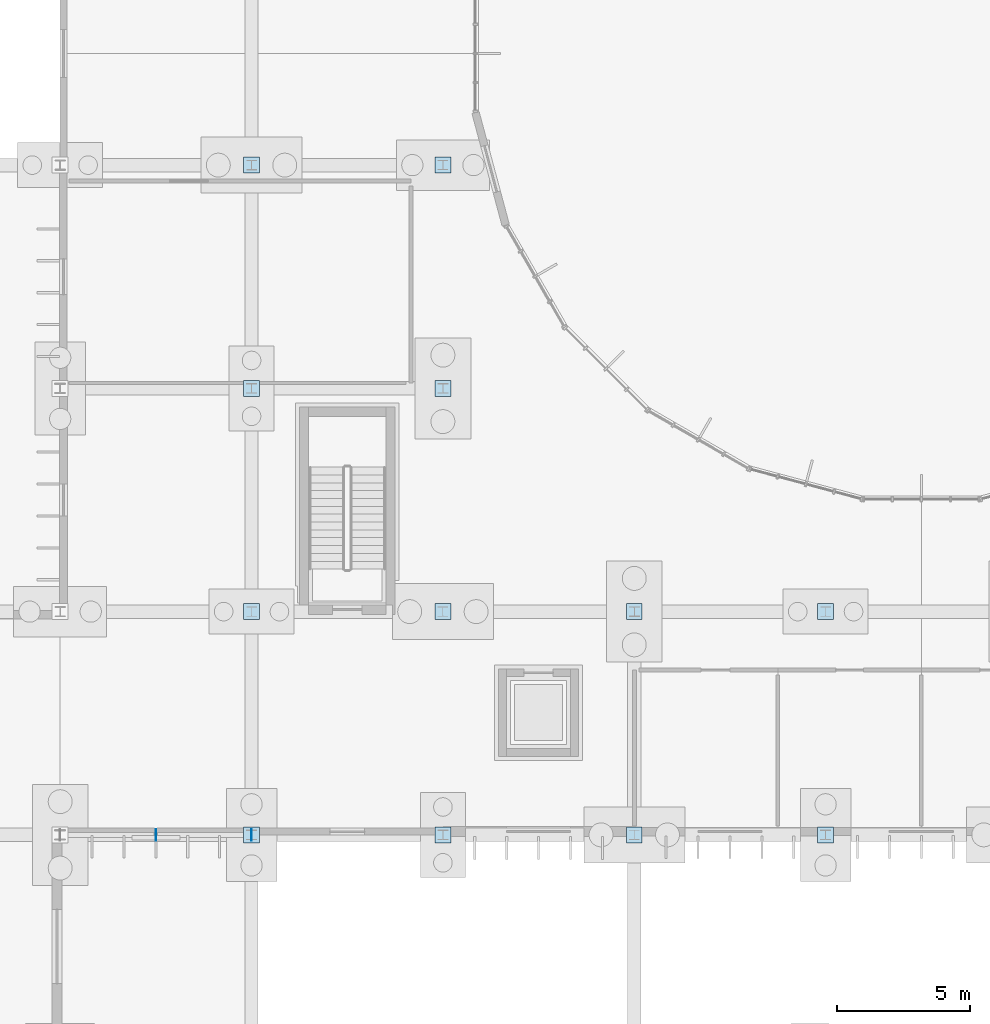
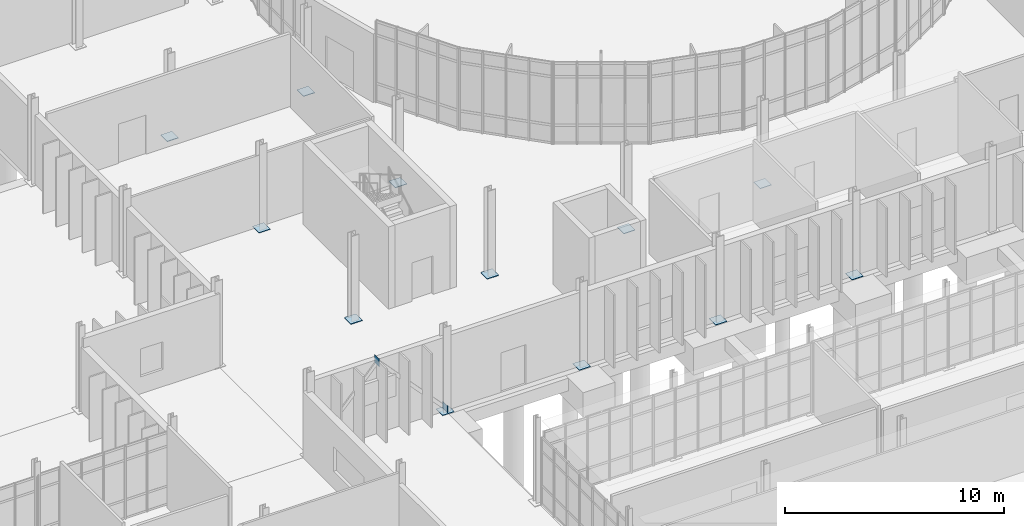
# One storey, part 78 of 118: 14 plates.
"""IFC4 building model written with IfcOpenShell, lengths in metres."""

import ifcopenshell
import ifcopenshell.guid

model = None  # the IFC model being written
_history = None  # IfcOwnerHistory: only IFC2X3 demands one
_inside = {}  # id of a spatial element -> (the spatial element, [elements in it])
_under = {}  # id of a project, library or spatial element -> (it, [spatial elements below it])
_declared = {}  # id of a project -> (the project, [libraries it declares])
_typed = {}  # id of a type object -> (the type object, [elements of that type])
_made_of = {}  # id of a material, layer set ... -> (it, [elements and type objects made of it])


def new_model(schema):
    """Start an empty IFC model of exactly this schema.

    Asked for "IFC4X3", IfcOpenShell would pick the latest addendum, in which some entities
    have other attributes; the version numbers below select the first issue.
    IFC2X3 requires an IfcOwnerHistory on every rooted entity: one is made here for all.
    """
    global model, _history
    if schema == "IFC4X3":
        model = ifcopenshell.file(schema_version=(4, 3, 0, 0))
    else:
        model = ifcopenshell.file(schema=schema)
    _inside.clear()
    _under.clear()
    _declared.clear()
    _typed.clear()
    _made_of.clear()
    _history = None
    if model.schema == "IFC2X3":
        org = make("IfcOrganization", Name="unknown")
        user = make(
            "IfcPersonAndOrganization",
            ThePerson=make("IfcPerson", FamilyName="unknown"),
            TheOrganization=org,
        )
        app = make(
            "IfcApplication",
            ApplicationDeveloper=org,
            Version="unknown",
            ApplicationFullName="unknown",
            ApplicationIdentifier="unknown",
        )
        _history = make(
            "IfcOwnerHistory",
            OwningUser=user,
            OwningApplication=app,
            ChangeAction="ADDED",
            CreationDate=0,
        )
    return model


def make(cls, **values):
    """One entity of the class cls with the attributes given. An attribute that is None is left unset."""
    return model.create_entity(
        cls, **{name: value for name, value in values.items() if value is not None}
    )


def rooted(cls, **values):
    """An entity with a GlobalId (a new one), such as an element, a storey or a relation."""
    return make(cls, GlobalId=ifcopenshell.guid.new(), OwnerHistory=_history, **values)


def si_unit(unit_type, name, prefix=None):
    """IfcSIUnit, for example si_unit("LENGTHUNIT", "METRE", prefix="MILLI")."""
    return make("IfcSIUnit", UnitType=unit_type, Prefix=prefix, Name=name)


def assignment(units):
    """IfcUnitAssignment: the units of a project."""
    return None if units is None else make("IfcUnitAssignment", Units=units)


def point(xyz):
    """IfcCartesianPoint."""
    return None if xyz is None else make("IfcCartesianPoint", Coordinates=xyz)


def direction(xyz):
    """IfcDirection."""
    return None if xyz is None else make("IfcDirection", DirectionRatios=xyz)


def frame(location, z_axis=None, x_axis=None):
    """IfcAxis2Placement3D, a coordinate frame: its origin and axes. An axis left out is left unset."""
    return make(
        "IfcAxis2Placement3D",
        Location=point(location),
        Axis=direction(z_axis),
        RefDirection=direction(x_axis),
    )


def frame_2d(location, x_axis=None):
    """IfcAxis2Placement2D, a coordinate frame in the plane: its origin and x axis."""
    return make(
        "IfcAxis2Placement2D", Location=point(location), RefDirection=direction(x_axis)
    )


def origin():
    """The frame at (0, 0, 0) with its axes left unset."""
    return frame((0.0, 0.0, 0.0))


def origin_2d():
    """The frame at (0, 0) in the plane with its x axis left unset."""
    return frame_2d((0.0, 0.0))


def place(relative_to, where):
    """IfcLocalPlacement: puts the frame where relative to a parent placement (None: the world)."""
    return make(
        "IfcLocalPlacement", PlacementRelTo=relative_to, RelativePlacement=where
    )


def context(
    kind, dimensions, precision=None, world=None, true_north=None, identifier=None
):
    """IfcGeometricRepresentationContext, for example the 3D "Model" context."""
    return make(
        "IfcGeometricRepresentationContext",
        ContextIdentifier=identifier,
        ContextType=kind,
        CoordinateSpaceDimension=dimensions,
        Precision=precision,
        WorldCoordinateSystem=world,
        TrueNorth=true_north,
    )


def subcontext(parent, identifier, kind, view, scale=None):
    """IfcGeometricRepresentationSubContext, for example "Body" below "Model"."""
    return make(
        "IfcGeometricRepresentationSubContext",
        ContextIdentifier=identifier,
        ContextType=kind,
        ParentContext=parent,
        TargetScale=scale,
        TargetView=view,
    )


def project(units=None, contexts=None):
    """IfcProject with its units and contexts."""
    return rooted(
        "IfcProject",
        Name="project",
        RepresentationContexts=contexts,
        UnitsInContext=assignment(units),
    )


def spatial(cls, under=None, at=None, **own):
    """A site, building, storey or space (cls), placed at a placement, below another one or the project."""
    s = rooted(cls, ObjectPlacement=at, **own)
    if under is not None:
        _under.setdefault(under.id(), (under, []))[1].append(s)
    return s


def profile(cls, at=None, kind="AREA", **sizes):
    """A parametric profile (cls). Its sizes go by their IFC names, for example OverallWidth=200.0."""
    return make(cls, ProfileType=kind, Position=at, **sizes)


def rectangle(**sizes):
    """IfcRectangleProfileDef."""
    return profile("IfcRectangleProfileDef", **sizes)


def extrude(swept, where, along, depth):
    """IfcExtrudedAreaSolid: the profile swept, set in the frame where, extruded along a direction by depth."""
    return make(
        "IfcExtrudedAreaSolid",
        SweptArea=swept,
        Position=where,
        ExtrudedDirection=direction(along),
        Depth=depth,
    )


def shape(context_of_items, identifier, shape_type, items):
    """IfcShapeRepresentation: the items that make up one representation, for example the "Body"."""
    return make(
        "IfcShapeRepresentation",
        ContextOfItems=context_of_items,
        RepresentationIdentifier=identifier,
        RepresentationType=shape_type,
        Items=items,
    )


def material(Name=None, Category=None):
    """IfcMaterial."""
    return make("IfcMaterial", Name=Name, Category=Category)


def layer(
    of_material, thickness, ventilated=None, Name=None, Category=None, Priority=None
):
    """IfcMaterialLayer: one layer of a wall or slab, of a material (None: an air gap)."""
    return make(
        "IfcMaterialLayer",
        Material=of_material,
        LayerThickness=thickness,
        IsVentilated=ventilated,
        Name=Name,
        Category=Category,
        Priority=Priority,
    )


def layer_set(layers, Name=None):
    """IfcMaterialLayerSet."""
    return make("IfcMaterialLayerSet", MaterialLayers=layers, LayerSetName=Name)


def made_of(thing, what):
    """Note that an element or type object is made of a material, layer set ...; save() writes the relation."""
    if what is not None:
        _made_of.setdefault(what.id(), (what, []))[1].append(thing)
    return thing


def type_object(cls, material=None, **own):
    """A type object (cls), such as IfcWallType, which elements share."""
    return made_of(rooted(cls, **own), material)


def element(
    cls,
    number,
    at=None,
    inside=None,
    cuts=None,
    type_object=None,
    material=None,
    context=None,
    identifier="Body",
    shape_type=None,
    held_by="IfcProductDefinitionShape",
    body=None,
    shapes=None,
    **own,
):
    """One element of the class cls, such as IfcWall. Its Tag is "e" and its number.

    at: its placement. inside: the storey or other place that contains it. cuts: it is an
    opening in that element (IfcRelVoidsElement). A single representation is given by context,
    identifier, shape_type and body (its items); several are given by shapes. held_by: the class
    of the entity that holds the representations. save() writes the other relations.
    """
    e = rooted(cls, Tag="e%d" % number, ObjectPlacement=at, **own)
    if body is not None:
        shapes = [shape(context, identifier, shape_type, body)]
    if shapes is not None:
        e.Representation = make(held_by, Representations=shapes)
    if inside is not None:
        _inside.setdefault(inside.id(), (inside, []))[1].append(e)
    if cuts is not None:
        rooted(
            "IfcRelVoidsElement", RelatingBuildingElement=cuts, RelatedOpeningElement=e
        )
    if type_object is not None:
        _typed.setdefault(type_object.id(), (type_object, []))[1].append(e)
    return made_of(e, material)


def aggregate(whole, parts):
    """IfcRelAggregates: a whole, such as a stair, and the parts it consists of."""
    return rooted("IfcRelAggregates", RelatingObject=whole, RelatedObjects=parts)


def save(model, path):
    """Write the relations noted so far, then the file.

    IfcRelAggregates (storeys below a building ...), IfcRelContainedInSpatialStructure (elements
    in a storey), IfcRelDefinesByType, IfcRelAssociatesMaterial and IfcRelDeclares: one each for
    every whole, place, type object, material and project.
    """
    for whole, parts in _under.values():
        aggregate(whole, parts)
    for where, things in _inside.values():
        rooted(
            "IfcRelContainedInSpatialStructure",
            RelatedElements=things,
            RelatingStructure=where,
        )
    for kind, things in _typed.values():
        rooted("IfcRelDefinesByType", RelatedObjects=things, RelatingType=kind)
    for what, things in _made_of.values():
        rooted("IfcRelAssociatesMaterial", RelatedObjects=things, RelatingMaterial=what)
    for by, libraries in _declared.values():
        rooted("IfcRelDeclares", RelatingContext=by, RelatedDefinitions=libraries)
    model.write(path)


model = new_model("IFC4")

# Units and contexts
model_context = context("Model", 3, precision=1e-05, world=origin(), true_north=direction((0.0, 1.0)))
body_context = subcontext(model_context, "Body", "Model", "MODEL_VIEW")
ifc_project = project(units=[si_unit("LENGTHUNIT", "METRE"), si_unit("AREAUNIT", "SQUARE_METRE"), si_unit("VOLUMEUNIT", "CUBIC_METRE"), si_unit("PLANEANGLEUNIT", "RADIAN"), si_unit("MASSUNIT", "GRAM", prefix="KILO")], contexts=[model_context])

# Site, building, storey
site_placement = place(None, origin())
site = spatial("IfcSite", under=ifc_project, at=site_placement, CompositionType="ELEMENT")
building_placement = place(site_placement, origin())
building = spatial("IfcBuilding", under=site, at=building_placement, Name="Qelthora Terrace Specialist Clinic", CompositionType="ELEMENT")
storey_placement = place(building_placement, origin())
storey = spatial("IfcBuildingStorey", under=building, at=storey_placement, Name="L00", CompositionType="ELEMENT", Elevation=0.0)

# Plates
ifc_material = material(Name="Steel S355", Category="steel")
ifc_layer_1 = layer(ifc_material, 0.030029296875)
ifc_layer_set_1 = layer_set([ifc_layer_1], Name="Steel S355")
plate_type_1 = type_object("IfcPlateType", Name="PLT-BASE-600X600X30", PredefinedType="USERDEFINED", material=ifc_layer_set_1)
for number, where, z_axis, x_axis, name in (
    (1, (100.800048828125, 33.60009765625, 0.0), (0.0, 0.0, 1.0), (1.0, 0.0, 0.0), "Steel column base plate BPLT-132"),
    (2, (100.800048828125, 42.0, 0.0), (0.0, 0.0, 1.0), (1.0, 0.0, 0.0), "Steel column base plate BPLT-133"),
    (3, (100.800048828125, 50.39990234375, 0.0), (0.0, 0.0, 1.0), (1.0, 0.0, 0.0), "Steel column base plate BPLT-134"),
    (4, (100.800048828125, 58.800048828125, 0.0), (0.0, 0.0, 1.0), (1.0, 0.0, 0.0), "Steel column base plate BPLT-135"),
    (5, (108.0, 33.60009765625, 0.0), (0.0, 0.0, 1.0), (1.0, 0.0, 0.0), "Steel column base plate BPLT-146"),
    (6, (108.0, 42.0, 0.0), (0.0, 0.0, 1.0), (1.0, 0.0, 0.0), "Steel column base plate BPLT-147"),
    (7, (108.0, 50.39990234375, 0.0), (0.0, 0.0, 1.0), (1.0, 0.0, 0.0), "Steel column base plate BPLT-148"),
    (8, (108.0, 58.800048828125, 0.0), (0.0, 0.0, 1.0), (1.0, 0.0, 0.0), "Steel column base plate BPLT-149"),
    (9, (115.199951171875, 33.60009765625, 0.0), (0.0, 0.0, 1.0), (1.0, 0.0, 0.0), "Steel column base plate BPLT-159"),
    (10, (115.199951171875, 42.0, 0.0), (0.0, 0.0, 1.0), (1.0, 0.0, 0.0), "Steel column base plate BPLT-160"),
    (11, (122.39990234375, 33.60009765625, 0.0), (0.0, 0.0, 1.0), (1.0, 0.0, 0.0), "Steel column base plate BPLT-168"),
    (12, (122.39990234375, 42.0, 0.0), (0.0, 0.0, 1.0), (1.0, 0.0, 0.0), "Steel column base plate BPLT-169"),
):
    element("IfcPlate", number, at=place(storey_placement, frame(where, z_axis=z_axis, x_axis=x_axis)), inside=storey, type_object=plate_type_1, Name=name, ObjectType="GUSSET PLATE", PredefinedType="USERDEFINED", context=body_context, shape_type="SweptSolid", body=[
        extrude(rectangle(XDim=0.60009765625, YDim=0.60009765625, at=origin_2d()), origin(), (0.0, 0.0, 1.0), 0.030029296875),
    ])
ifc_layer_2 = layer(ifc_material, 0.02001953125)
ifc_layer_set_2 = layer_set([ifc_layer_2], Name="Steel S355")
plate_type_2 = type_object("IfcPlateType", Name="PLT-GUS-480X480X20", PredefinedType="USERDEFINED", material=ifc_layer_set_2)
for number, where, z_axis, x_axis, name in (
    (13, (97.199951171875, 33.60009765625, 3.830078125), (0.0, 0.0, 1.0), (1.0, 0.0, 0.0), "Steel truss node plate GPLT-0204"),
    (14, (100.800048828125, 33.60009765625, -0.0400390625), (0.0, 0.0, 1.0), (1.0, 0.0, 0.0), "Steel truss node plate GPLT-0205"),
):
    element("IfcPlate", number, at=place(storey_placement, frame(where, z_axis=z_axis, x_axis=x_axis)), inside=storey, type_object=plate_type_2, Name=name, ObjectType="GUSSET PLATE", PredefinedType="USERDEFINED", context=body_context, shape_type="SweptSolid", body=[
        extrude(rectangle(XDim=0.02001953125, YDim=0.43994140625, at=origin_2d()), origin(), (0.0, 0.0, 1.0), 0.43994140625),
    ])

save(model, "model.ifc")
